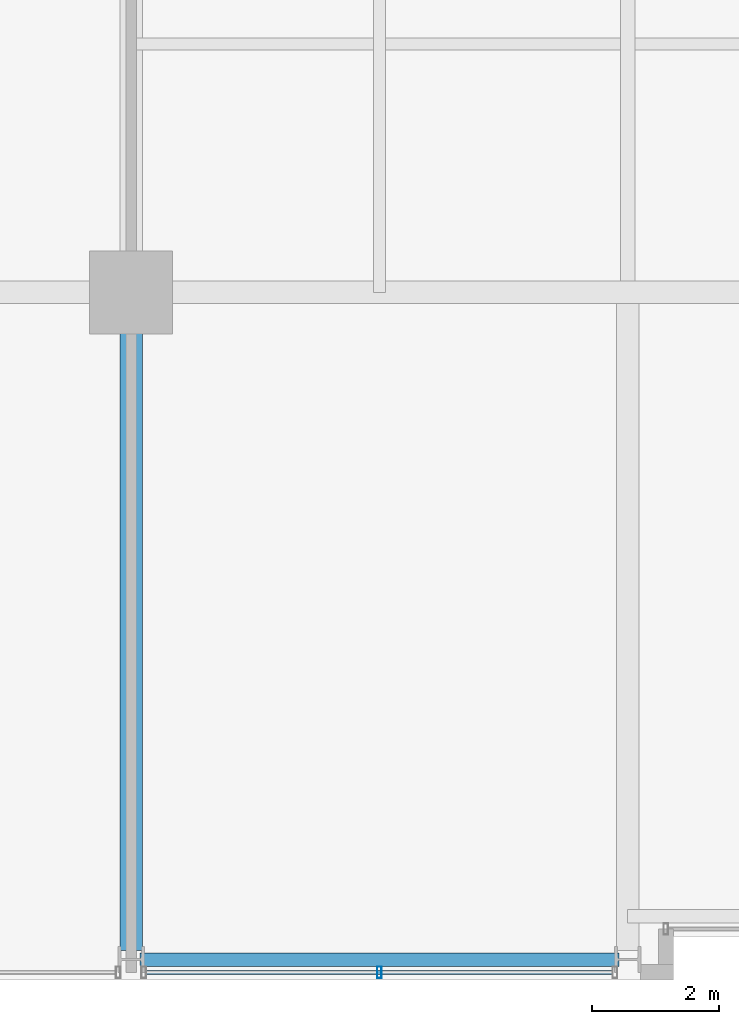
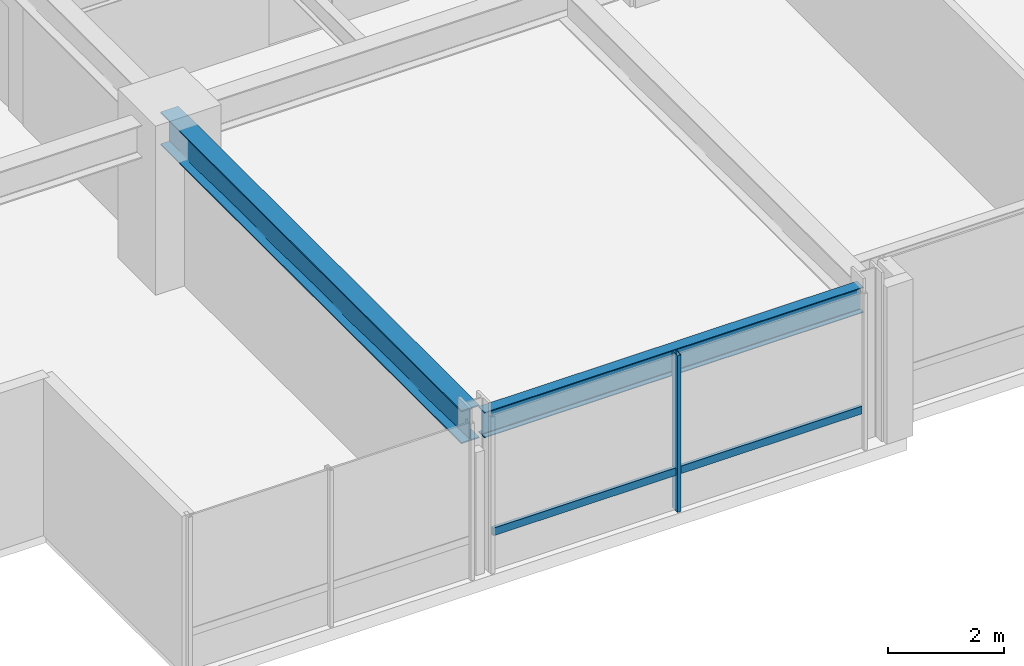
# One storey, part 3 of 33: 2 beams, 2 members, 1 element without a shape of its own.
"""IFC4 building model written with IfcOpenShell, lengths in metres."""

import ifcopenshell
import ifcopenshell.guid

model = None  # the IFC model being written
_history = None  # IfcOwnerHistory: only IFC2X3 demands one
_inside = {}  # id of a spatial element -> (the spatial element, [elements in it])
_under = {}  # id of a project, library or spatial element -> (it, [spatial elements below it])
_declared = {}  # id of a project -> (the project, [libraries it declares])
_typed = {}  # id of a type object -> (the type object, [elements of that type])
_made_of = {}  # id of a material, layer set ... -> (it, [elements and type objects made of it])


def new_model(schema):
    """Start an empty IFC model of exactly this schema.

    Asked for "IFC4X3", IfcOpenShell would pick the latest addendum, in which some entities
    have other attributes; the version numbers below select the first issue.
    IFC2X3 requires an IfcOwnerHistory on every rooted entity: one is made here for all.
    """
    global model, _history
    if schema == "IFC4X3":
        model = ifcopenshell.file(schema_version=(4, 3, 0, 0))
    else:
        model = ifcopenshell.file(schema=schema)
    _inside.clear()
    _under.clear()
    _declared.clear()
    _typed.clear()
    _made_of.clear()
    _history = None
    if model.schema == "IFC2X3":
        org = make("IfcOrganization", Name="unknown")
        user = make(
            "IfcPersonAndOrganization",
            ThePerson=make("IfcPerson", FamilyName="unknown"),
            TheOrganization=org,
        )
        app = make(
            "IfcApplication",
            ApplicationDeveloper=org,
            Version="unknown",
            ApplicationFullName="unknown",
            ApplicationIdentifier="unknown",
        )
        _history = make(
            "IfcOwnerHistory",
            OwningUser=user,
            OwningApplication=app,
            ChangeAction="ADDED",
            CreationDate=0,
        )
    return model


def make(cls, **values):
    """One entity of the class cls with the attributes given. An attribute that is None is left unset."""
    return model.create_entity(
        cls, **{name: value for name, value in values.items() if value is not None}
    )


def rooted(cls, **values):
    """An entity with a GlobalId (a new one), such as an element, a storey or a relation."""
    return make(cls, GlobalId=ifcopenshell.guid.new(), OwnerHistory=_history, **values)


def si_unit(unit_type, name, prefix=None):
    """IfcSIUnit, for example si_unit("LENGTHUNIT", "METRE", prefix="MILLI")."""
    return make("IfcSIUnit", UnitType=unit_type, Prefix=prefix, Name=name)


def assignment(units):
    """IfcUnitAssignment: the units of a project."""
    return None if units is None else make("IfcUnitAssignment", Units=units)


def point(xyz):
    """IfcCartesianPoint."""
    return None if xyz is None else make("IfcCartesianPoint", Coordinates=xyz)


def direction(xyz):
    """IfcDirection."""
    return None if xyz is None else make("IfcDirection", DirectionRatios=xyz)


def frame(location, z_axis=None, x_axis=None):
    """IfcAxis2Placement3D, a coordinate frame: its origin and axes. An axis left out is left unset."""
    return make(
        "IfcAxis2Placement3D",
        Location=point(location),
        Axis=direction(z_axis),
        RefDirection=direction(x_axis),
    )


def frame_2d(location, x_axis=None):
    """IfcAxis2Placement2D, a coordinate frame in the plane: its origin and x axis."""
    return make(
        "IfcAxis2Placement2D", Location=point(location), RefDirection=direction(x_axis)
    )


def origin():
    """The frame at (0, 0, 0) with its axes left unset."""
    return frame((0.0, 0.0, 0.0))


def origin_2d():
    """The frame at (0, 0) in the plane with its x axis left unset."""
    return frame_2d((0.0, 0.0))


def place(relative_to, where):
    """IfcLocalPlacement: puts the frame where relative to a parent placement (None: the world)."""
    return make(
        "IfcLocalPlacement", PlacementRelTo=relative_to, RelativePlacement=where
    )


def context(
    kind, dimensions, precision=None, world=None, true_north=None, identifier=None
):
    """IfcGeometricRepresentationContext, for example the 3D "Model" context."""
    return make(
        "IfcGeometricRepresentationContext",
        ContextIdentifier=identifier,
        ContextType=kind,
        CoordinateSpaceDimension=dimensions,
        Precision=precision,
        WorldCoordinateSystem=world,
        TrueNorth=true_north,
    )


def subcontext(parent, identifier, kind, view, scale=None):
    """IfcGeometricRepresentationSubContext, for example "Body" below "Model"."""
    return make(
        "IfcGeometricRepresentationSubContext",
        ContextIdentifier=identifier,
        ContextType=kind,
        ParentContext=parent,
        TargetScale=scale,
        TargetView=view,
    )


def project(units=None, contexts=None):
    """IfcProject with its units and contexts."""
    return rooted(
        "IfcProject",
        Name="project",
        RepresentationContexts=contexts,
        UnitsInContext=assignment(units),
    )


def spatial(cls, under=None, at=None, **own):
    """A site, building, storey or space (cls), placed at a placement, below another one or the project."""
    s = rooted(cls, ObjectPlacement=at, **own)
    if under is not None:
        _under.setdefault(under.id(), (under, []))[1].append(s)
    return s


def profile(cls, at=None, kind="AREA", **sizes):
    """A parametric profile (cls). Its sizes go by their IFC names, for example OverallWidth=200.0."""
    return make(cls, ProfileType=kind, Position=at, **sizes)


def hollow_rectangle(**sizes):
    """IfcRectangleHollowProfileDef."""
    return profile("IfcRectangleHollowProfileDef", **sizes)


def i_section(**sizes):
    """IfcIShapeProfileDef."""
    return profile("IfcIShapeProfileDef", **sizes)


def extrude(swept, where, along, depth):
    """IfcExtrudedAreaSolid: the profile swept, set in the frame where, extruded along a direction by depth."""
    return make(
        "IfcExtrudedAreaSolid",
        SweptArea=swept,
        Position=where,
        ExtrudedDirection=direction(along),
        Depth=depth,
    )


def shape(context_of_items, identifier, shape_type, items):
    """IfcShapeRepresentation: the items that make up one representation, for example the "Body"."""
    return make(
        "IfcShapeRepresentation",
        ContextOfItems=context_of_items,
        RepresentationIdentifier=identifier,
        RepresentationType=shape_type,
        Items=items,
    )


def material(Name=None, Category=None):
    """IfcMaterial."""
    return make("IfcMaterial", Name=Name, Category=Category)


def layer(
    of_material, thickness, ventilated=None, Name=None, Category=None, Priority=None
):
    """IfcMaterialLayer: one layer of a wall or slab, of a material (None: an air gap)."""
    return make(
        "IfcMaterialLayer",
        Material=of_material,
        LayerThickness=thickness,
        IsVentilated=ventilated,
        Name=Name,
        Category=Category,
        Priority=Priority,
    )


def layer_set(layers, Name=None):
    """IfcMaterialLayerSet."""
    return make("IfcMaterialLayerSet", MaterialLayers=layers, LayerSetName=Name)


def material_profile(
    of_material, cross_section, Name=None, Category=None, Priority=None
):
    """IfcMaterialProfile: a cross section and its material."""
    return make(
        "IfcMaterialProfile",
        Name=Name,
        Material=of_material,
        Profile=cross_section,
        Priority=Priority,
        Category=Category,
    )


def profile_set(profiles, Name=None, composite=None):
    """IfcMaterialProfileSet."""
    return make(
        "IfcMaterialProfileSet",
        Name=Name,
        MaterialProfiles=profiles,
        CompositeProfile=composite,
    )


def made_of(thing, what):
    """Note that an element or type object is made of a material, layer set ...; save() writes the relation."""
    if what is not None:
        _made_of.setdefault(what.id(), (what, []))[1].append(thing)
    return thing


def type_object(cls, material=None, **own):
    """A type object (cls), such as IfcWallType, which elements share."""
    return made_of(rooted(cls, **own), material)


def element(
    cls,
    number,
    at=None,
    inside=None,
    cuts=None,
    type_object=None,
    material=None,
    context=None,
    identifier="Body",
    shape_type=None,
    held_by="IfcProductDefinitionShape",
    body=None,
    shapes=None,
    **own,
):
    """One element of the class cls, such as IfcWall. Its Tag is "e" and its number.

    at: its placement. inside: the storey or other place that contains it. cuts: it is an
    opening in that element (IfcRelVoidsElement). A single representation is given by context,
    identifier, shape_type and body (its items); several are given by shapes. held_by: the class
    of the entity that holds the representations. save() writes the other relations.
    """
    e = rooted(cls, Tag="e%d" % number, ObjectPlacement=at, **own)
    if body is not None:
        shapes = [shape(context, identifier, shape_type, body)]
    if shapes is not None:
        e.Representation = make(held_by, Representations=shapes)
    if inside is not None:
        _inside.setdefault(inside.id(), (inside, []))[1].append(e)
    if cuts is not None:
        rooted(
            "IfcRelVoidsElement", RelatingBuildingElement=cuts, RelatedOpeningElement=e
        )
    if type_object is not None:
        _typed.setdefault(type_object.id(), (type_object, []))[1].append(e)
    return made_of(e, material)


def aggregate(whole, parts):
    """IfcRelAggregates: a whole, such as a stair, and the parts it consists of."""
    return rooted("IfcRelAggregates", RelatingObject=whole, RelatedObjects=parts)


def save(model, path):
    """Write the relations noted so far, then the file.

    IfcRelAggregates (storeys below a building ...), IfcRelContainedInSpatialStructure (elements
    in a storey), IfcRelDefinesByType, IfcRelAssociatesMaterial and IfcRelDeclares: one each for
    every whole, place, type object, material and project.
    """
    for whole, parts in _under.values():
        aggregate(whole, parts)
    for where, things in _inside.values():
        rooted(
            "IfcRelContainedInSpatialStructure",
            RelatedElements=things,
            RelatingStructure=where,
        )
    for kind, things in _typed.values():
        rooted("IfcRelDefinesByType", RelatedObjects=things, RelatingType=kind)
    for what, things in _made_of.values():
        rooted("IfcRelAssociatesMaterial", RelatedObjects=things, RelatingMaterial=what)
    for by, libraries in _declared.values():
        rooted("IfcRelDeclares", RelatingContext=by, RelatedDefinitions=libraries)
    model.write(path)


model = new_model("IFC4")

# Units and contexts
model_context = context("Model", 3, precision=1e-05, world=origin(), true_north=direction((0.0, 1.0)))
body_context = subcontext(model_context, "Body", "Model", "MODEL_VIEW")
ifc_project = project(units=[si_unit("LENGTHUNIT", "METRE"), si_unit("AREAUNIT", "SQUARE_METRE"), si_unit("VOLUMEUNIT", "CUBIC_METRE"), si_unit("PLANEANGLEUNIT", "RADIAN"), si_unit("MASSUNIT", "GRAM", prefix="KILO")], contexts=[model_context])

# Site, building, storey
site_placement = place(None, origin())
site = spatial("IfcSite", under=ifc_project, at=site_placement, CompositionType="ELEMENT")
building_placement = place(site_placement, origin())
building = spatial("IfcBuilding", under=site, at=building_placement, Name="Drelvath Grand Hotel", CompositionType="ELEMENT")
storey_placement = place(building_placement, frame((0.0, 0.0, 168.14990234375)))
storey = spatial("IfcBuildingStorey", under=building, at=storey_placement, Name="L43", CompositionType="ELEMENT", Elevation=168.14990234375)

# Curtain wall, members
ifc_material_1 = material(Name="Brushed Pale-Silver Anodised Aluminium Frame", Category="aluminium")
ifc_layer = layer(ifc_material_1, 0.199951171875)
ifc_layer_set = layer_set([ifc_layer], Name="Brushed Pale-Silver Anodised Aluminium Frame")
curtain_wall_type = type_object("IfcCurtainWallType", Name="Stick Curtain Wall CW-04 Brushed Silver Upper-Mid", PredefinedType="NOTDEFINED", material=ifc_layer_set)
curtain_wall_placement = place(storey_placement, origin())
curtain_wall = element("IfcCurtainWall", 1, at=curtain_wall_placement, inside=storey, type_object=curtain_wall_type, Name="L43 CW-04 Curtain Wall CW04-L43-SW2", PredefinedType="NOTDEFINED")
ifc_material_profile_1 = material_profile(ifc_material_1, hollow_rectangle(XDim=0.06494140625, YDim=0.159912109375, WallThickness=0.00390625, at=origin_2d()), Name="HSS160X65X4")
ifc_profile_set_1 = profile_set([ifc_material_profile_1], Name="Brushed Pale-Silver Anodised Aluminium Frame")
member_type_1 = type_object("IfcMemberType", Name="Curtain Wall Horizontal Transom CW-04 HSS160X65X4", PredefinedType="USERDEFINED", material=ifc_profile_set_1)
member_1_placement = place(storey_placement, frame((-8.64013671875, 0.1201171875, 0.822509765625), z_axis=(-1.0, 0.0, 0.0), x_axis=(0.0, -1.0, 0.0)))
member_1 = element("IfcMember", 2, at=member_1_placement, type_object=member_type_1, Name="CW04-L43-SW2 Sill Transom", ObjectType="TRANSOM", PredefinedType="USERDEFINED", context=body_context, shape_type="SweptSolid", body=[
    extrude(hollow_rectangle(XDim=0.06494140625, YDim=0.159912109375, WallThickness=0.00390625, at=origin_2d()), origin(), (0.0, 0.0, 1.0), 7.31982421875),
])
ifc_material_profile_2 = material_profile(ifc_material_1, hollow_rectangle(XDim=0.074951171875, YDim=0.179931640625, WallThickness=0.0048828125, at=origin_2d()), Name="HSS180X75X5")
ifc_profile_set_2 = profile_set([ifc_material_profile_2], Name="Brushed Pale-Silver Anodised Aluminium Frame")
member_type_2 = type_object("IfcMemberType", Name="Curtain Wall Vertical Mullion CW-04 HSS180X75X5", PredefinedType="MULLION", material=ifc_profile_set_2)
member_2_placement = place(storey_placement, frame((-12.300048828125, 0.1201171875, 0.0), z_axis=(0.0, 0.0, 1.0), x_axis=(1.0, 0.0, 0.0)))
member_2 = element("IfcMember", 3, at=member_2_placement, type_object=member_type_2, Name="CW04-L43-SW2 Mullion 2", PredefinedType="MULLION", context=body_context, shape_type="SweptSolid", body=[
    extrude(hollow_rectangle(XDim=0.074951171875, YDim=0.179931640625, WallThickness=0.0048828125, at=origin_2d()), origin(), (0.0, 0.0, 1.0), 3.2900390625),
])
aggregate(curtain_wall, [member_2, member_1])

# Beams
ifc_material_2 = material(Name="Steel ASTM A992 Gr 50", Category="steel")
ifc_material_profile_3 = material_profile(ifc_material_2, i_section(OverallWidth=0.210205078125, OverallDepth=0.53662109375, WebThickness=0.010986328125, FlangeThickness=0.017333984375, FilletRadius=0.01806640625, at=origin_2d()), Name="W21X68")
ifc_profile_set_3 = profile_set([ifc_material_profile_3], Name="Steel ASTM A992 Gr 50")
beam_type_1 = type_object("IfcBeamType", Name="Perimeter Spandrel Beam W21X68", PredefinedType="SPANDREL", material=ifc_profile_set_3)
beam_1_placement = place(storey_placement, frame((-16.06005859375, 0.320068359375, 3.021728515625), z_axis=(1.0, 0.0, 0.0), x_axis=(0.0, 1.0, 0.0)))
element("IfcBeam", 4, at=beam_1_placement, inside=storey, type_object=beam_type_1, Name="L43 Spandrel South W", PredefinedType="SPANDREL", context=body_context, shape_type="SweptSolid", body=[
    extrude(i_section(OverallWidth=0.210205078125, OverallDepth=0.53662109375, WebThickness=0.010986328125, FlangeThickness=0.017333984375, FilletRadius=0.01806640625, at=origin_2d()), origin(), (0.0, 0.0, 1.0), 7.52001953125),
])
ifc_material_profile_4 = material_profile(ifc_material_2, i_section(OverallWidth=0.354736328125, OverallDepth=0.695556640625, WebThickness=0.015380859375, FlangeThickness=0.025146484375, FilletRadius=0.02392578125, at=origin_2d()), Name="W27X146")
ifc_profile_set_4 = profile_set([ifc_material_profile_4], Name="Steel ASTM A992 Gr 50")
beam_type_2 = type_object("IfcBeamType", Name="Primary Floor Girder W27X146", PredefinedType="BEAM", material=ifc_profile_set_4)
beam_2_placement = place(storey_placement, frame((-16.199951171875, 0.4599609375, 2.9423828125), z_axis=(0.0, 1.0, 0.0), x_axis=(-1.0, 0.0, 0.0)))
element("IfcBeam", 5, at=beam_2_placement, inside=storey, type_object=beam_type_2, Name="L43 South Grid Girder 3", PredefinedType="BEAM", context=body_context, shape_type="SweptSolid", body=[
    extrude(i_section(OverallWidth=0.354736328125, OverallDepth=0.695556640625, WebThickness=0.015380859375, FlangeThickness=0.025146484375, FilletRadius=0.02392578125, at=origin_2d()), origin(), (0.0, 0.0, 1.0), 10.340087890625),
])

save(model, "model.ifc")
